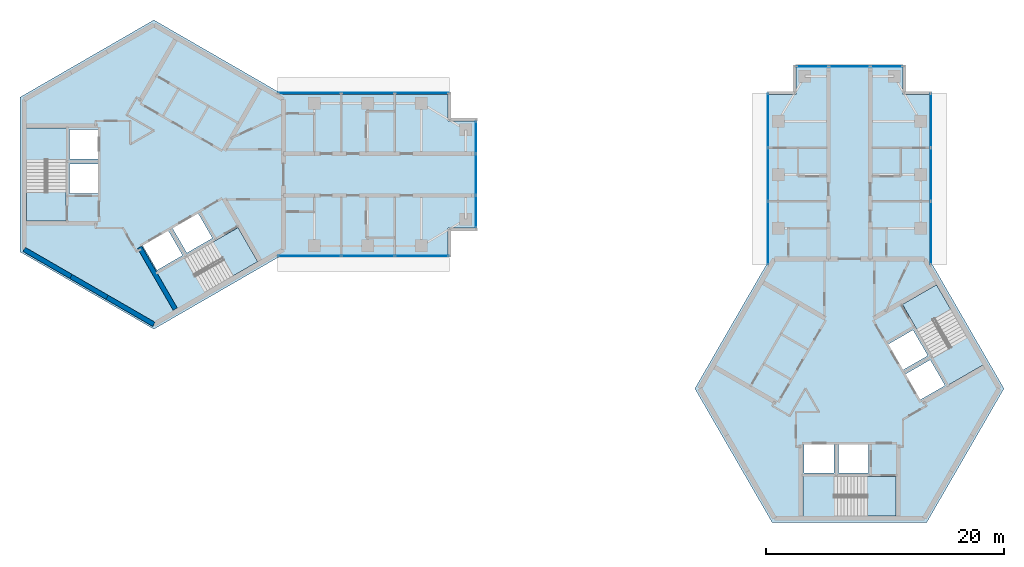
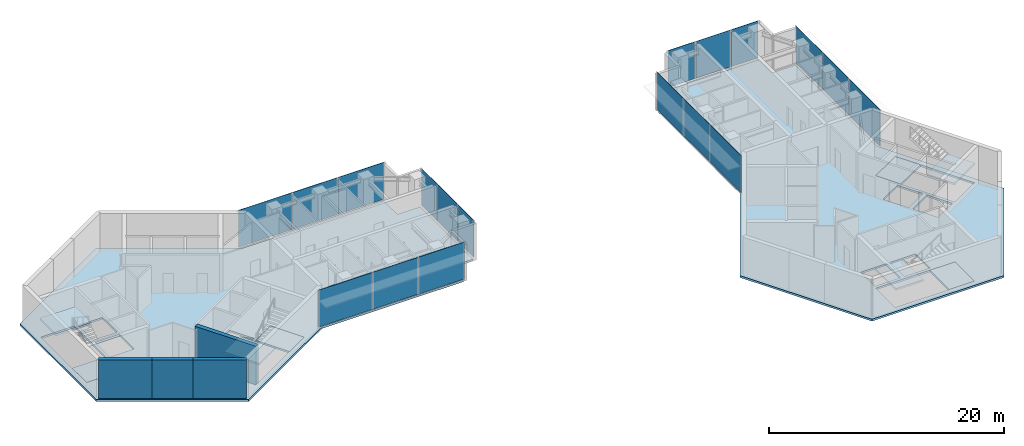
# One storey, part 4 of 11: 18 plates, 10 slabs, 4 walls, 10 elements without a shape of their own.
"""IFC4 building model written with IfcOpenShell, lengths in metres."""

from ifc_helpers import new_model, si_unit, direction, frame, frame_2d, origin, origin_2d, place, context, subcontext, project, spatial, polyline, rectangle, outline, extrude, material, layer, layer_set, type_object, element, aggregate, save


model = new_model("IFC4")

# Units and contexts
model_context = context("Model", 3, precision=1e-05, world=origin(), true_north=direction((0.0, 1.0)))
body_context = subcontext(model_context, "Body", "Model", "MODEL_VIEW")
ifc_project = project(units=[si_unit("LENGTHUNIT", "METRE"), si_unit("AREAUNIT", "SQUARE_METRE"), si_unit("VOLUMEUNIT", "CUBIC_METRE"), si_unit("PLANEANGLEUNIT", "RADIAN"), si_unit("MASSUNIT", "GRAM", prefix="KILO")], contexts=[model_context])

# Site, building, storey
site_placement = place(None, origin())
site = spatial("IfcSite", under=ifc_project, at=site_placement, CompositionType="ELEMENT")
building_placement = place(site_placement, origin())
building = spatial("IfcBuilding", under=site, at=building_placement, Name="Upepo Twin Towers", CompositionType="ELEMENT")
storey_placement = place(building_placement, frame((0.0, 0.0, 263.5)))
storey = spatial("IfcBuildingStorey", under=building, at=storey_placement, Name="L64", CompositionType="ELEMENT", Elevation=263.5)

# Curtain wall, plates
ifc_material_1 = material(Name="Aluminium and fritted glass", Category="aluminium")
curtain_wall_type = type_object("IfcCurtainWallType", Name="Tower curtain wall TW4, fritted glass", PredefinedType="NOTDEFINED", material=ifc_material_1)
curtain_wall_1_placement = place(storey_placement, origin())
curtain_wall_1 = element("IfcCurtainWall", 1, at=curtain_wall_1_placement, inside=storey, type_object=curtain_wall_type, Name="T1 L64 wing A flank L curtain wall", PredefinedType="NOTDEFINED")
ifc_material_2 = material(Name="Ceramic-fritted laminated glass", Category="glass")
ifc_layer_1 = layer(ifc_material_2, 0.031982421875)
ifc_layer_set_1 = layer_set([ifc_layer_1], Name="Fritted glass panel, 65 per cent dot frit, 32 mm double glazed")
plate_type_1 = type_object("IfcPlateType", Name="Fritted glass panel, 65 per cent dot frit, 32 mm double glazed", PredefinedType="CURTAIN_PANEL", material=ifc_layer_set_1)
plate_1_placement = place(storey_placement, frame((13.084716796875, 6.85009765625, 0.14990234375), z_axis=(0.0, 0.0, 1.0), x_axis=(1.0, 0.0, 0.0)))
plate_1 = element("IfcPlate", 2, at=plate_1_placement, type_object=plate_type_1, Name="T1 L64 wing A flank L curtain wall panel 1", PredefinedType="CURTAIN_PANEL", context=body_context, shape_type="SweptSolid", body=[
    extrude(rectangle(XDim=5.265380859375, YDim=0.031982421875, at=origin_2d()), origin(), (0.0, 0.0, 1.0), 3.85009765625),
])
plate_2_placement = place(storey_placement, frame((18.0, 6.85009765625, 0.14990234375), z_axis=(0.0, 0.0, 1.0), x_axis=(1.0, 0.0, 0.0)))
plate_2 = element("IfcPlate", 3, at=plate_2_placement, type_object=plate_type_1, Name="T1 L64 wing A flank L curtain wall panel 2", PredefinedType="CURTAIN_PANEL", context=body_context, shape_type="SweptSolid", body=[
    extrude(rectangle(XDim=4.43505859375, YDim=0.031982421875, at=origin_2d()), origin(), (0.0, 0.0, 1.0), 3.85009765625),
])
plate_3_placement = place(storey_placement, frame((22.53369140625, 6.85009765625, 0.14990234375), z_axis=(0.0, 0.0, 1.0), x_axis=(1.0, 0.0, 0.0)))
plate_3 = element("IfcPlate", 4, at=plate_3_placement, type_object=plate_type_1, Name="T1 L64 wing A flank L curtain wall panel 3", PredefinedType="CURTAIN_PANEL", context=body_context, shape_type="SweptSolid", body=[
    extrude(rectangle(XDim=4.50244140625, YDim=0.031982421875, at=origin_2d()), origin(), (0.0, 0.0, 1.0), 3.85009765625),
])
aggregate(curtain_wall_1, [plate_1, plate_2, plate_3])

curtain_wall_2_placement = place(storey_placement, origin())
curtain_wall_2 = element("IfcCurtainWall", 5, at=curtain_wall_2_placement, inside=storey, type_object=curtain_wall_type, Name="T1 L64 wing A flank R curtain wall", PredefinedType="NOTDEFINED")
plate_4_placement = place(storey_placement, frame((22.53369140625, -6.85009765625, 0.14990234375), z_axis=(0.0, 0.0, 1.0), x_axis=(-1.0, 0.0, 0.0)))
plate_4 = element("IfcPlate", 6, at=plate_4_placement, type_object=plate_type_1, Name="T1 L64 wing A flank R curtain wall panel 1", PredefinedType="CURTAIN_PANEL", context=body_context, shape_type="SweptSolid", body=[
    extrude(rectangle(XDim=4.50244140625, YDim=0.031982421875, at=origin_2d()), origin(), (0.0, 0.0, 1.0), 3.85009765625),
])
plate_5_placement = place(storey_placement, frame((18.0, -6.85009765625, 0.14990234375), z_axis=(0.0, 0.0, 1.0), x_axis=(-1.0, 0.0, 0.0)))
plate_5 = element("IfcPlate", 7, at=plate_5_placement, type_object=plate_type_1, Name="T1 L64 wing A flank R curtain wall panel 2", PredefinedType="CURTAIN_PANEL", context=body_context, shape_type="SweptSolid", body=[
    extrude(rectangle(XDim=4.43505859375, YDim=0.031982421875, at=origin_2d()), origin(), (0.0, 0.0, 1.0), 3.85009765625),
])
plate_6_placement = place(storey_placement, frame((13.084716796875, -6.85009765625, 0.14990234375), z_axis=(0.0, 0.0, 1.0), x_axis=(-1.0, 0.0, 0.0)))
plate_6 = element("IfcPlate", 8, at=plate_6_placement, type_object=plate_type_1, Name="T1 L64 wing A flank R curtain wall panel 3", PredefinedType="CURTAIN_PANEL", context=body_context, shape_type="SweptSolid", body=[
    extrude(rectangle(XDim=5.265380859375, YDim=0.031982421875, at=origin_2d()), origin(), (0.0, 0.0, 1.0), 3.85009765625),
])
aggregate(curtain_wall_2, [plate_4, plate_5, plate_6])

# Curtain wall, plate
curtain_wall_3_placement = place(storey_placement, origin())
curtain_wall_3 = element("IfcCurtainWall", 9, at=curtain_wall_3_placement, inside=storey, type_object=curtain_wall_type, Name="T1 L64 wing A nose curtain wall", PredefinedType="NOTDEFINED")
plate_7_placement = place(storey_placement, frame((27.10009765625, 0.0, 0.14990234375), z_axis=(0.0, 0.0, 1.0), x_axis=(0.0, 1.0, 0.0)))
plate_7 = element("IfcPlate", 10, at=plate_7_placement, type_object=plate_type_1, Name="T1 L64 wing A nose curtain wall panel 2", PredefinedType="CURTAIN_PANEL", context=body_context, shape_type="SweptSolid", body=[
    extrude(rectangle(XDim=3.43505859375, YDim=0.031982421875, at=origin_2d()), origin(), (0.0, 0.0, 1.0), 3.85009765625),
])

# Curtain wall, plates
curtain_wall_4_placement = place(storey_placement, origin())
curtain_wall_4 = element("IfcCurtainWall", 11, at=curtain_wall_4_placement, inside=storey, type_object=curtain_wall_type, Name="T2 L64 wing A flank L curtain wall", PredefinedType="NOTDEFINED")
plate_8_placement = place(storey_placement, frame((51.64990234375, -4.915283203125, 0.14990234375), z_axis=(0.0, 0.0, 1.0), x_axis=(0.0, 1.0, 0.0)))
plate_8 = element("IfcPlate", 12, at=plate_8_placement, type_object=plate_type_1, Name="T2 L64 wing A flank L curtain wall panel 1", PredefinedType="CURTAIN_PANEL", context=body_context, shape_type="SweptSolid", body=[
    extrude(rectangle(XDim=5.265380859375, YDim=0.031982421875, at=origin_2d()), origin(), (0.0, 0.0, 1.0), 3.85009765625),
])
plate_9_placement = place(storey_placement, frame((51.64990234375, 0.0, 0.14990234375), z_axis=(0.0, 0.0, 1.0), x_axis=(0.0, 1.0, 0.0)))
plate_9 = element("IfcPlate", 13, at=plate_9_placement, type_object=plate_type_1, Name="T2 L64 wing A flank L curtain wall panel 2", PredefinedType="CURTAIN_PANEL", context=body_context, shape_type="SweptSolid", body=[
    extrude(rectangle(XDim=4.43505859375, YDim=0.031982421875, at=origin_2d()), origin(), (0.0, 0.0, 1.0), 3.85009765625),
])
plate_10_placement = place(storey_placement, frame((51.64990234375, 4.53369140625, 0.14990234375), z_axis=(0.0, 0.0, 1.0), x_axis=(0.0, 1.0, 0.0)))
plate_10 = element("IfcPlate", 14, at=plate_10_placement, type_object=plate_type_1, Name="T2 L64 wing A flank L curtain wall panel 3", PredefinedType="CURTAIN_PANEL", context=body_context, shape_type="SweptSolid", body=[
    extrude(rectangle(XDim=4.50244140625, YDim=0.031982421875, at=origin_2d()), origin(), (0.0, 0.0, 1.0), 3.85009765625),
])
aggregate(curtain_wall_4, [plate_8, plate_9, plate_10])

curtain_wall_5_placement = place(storey_placement, origin())
curtain_wall_5 = element("IfcCurtainWall", 15, at=curtain_wall_5_placement, inside=storey, type_object=curtain_wall_type, Name="T2 L64 wing A flank R curtain wall", PredefinedType="NOTDEFINED")
plate_11_placement = place(storey_placement, frame((65.35009765625, 4.53369140625, 0.14990234375), z_axis=(0.0, 0.0, 1.0), x_axis=(0.0, -1.0, 0.0)))
plate_11 = element("IfcPlate", 16, at=plate_11_placement, type_object=plate_type_1, Name="T2 L64 wing A flank R curtain wall panel 1", PredefinedType="CURTAIN_PANEL", context=body_context, shape_type="SweptSolid", body=[
    extrude(rectangle(XDim=4.50244140625, YDim=0.031982421875, at=origin_2d()), origin(), (0.0, 0.0, 1.0), 3.85009765625),
])
plate_12_placement = place(storey_placement, frame((65.35009765625, 0.0, 0.14990234375), z_axis=(0.0, 0.0, 1.0), x_axis=(0.0, -1.0, 0.0)))
plate_12 = element("IfcPlate", 17, at=plate_12_placement, type_object=plate_type_1, Name="T2 L64 wing A flank R curtain wall panel 2", PredefinedType="CURTAIN_PANEL", context=body_context, shape_type="SweptSolid", body=[
    extrude(rectangle(XDim=4.43505859375, YDim=0.031982421875, at=origin_2d()), origin(), (0.0, 0.0, 1.0), 3.85009765625),
])
plate_13_placement = place(storey_placement, frame((65.35009765625, -4.915283203125, 0.14990234375), z_axis=(0.0, 0.0, 1.0), x_axis=(0.0, -1.0, 0.0)))
plate_13 = element("IfcPlate", 18, at=plate_13_placement, type_object=plate_type_1, Name="T2 L64 wing A flank R curtain wall panel 3", PredefinedType="CURTAIN_PANEL", context=body_context, shape_type="SweptSolid", body=[
    extrude(rectangle(XDim=5.265380859375, YDim=0.031982421875, at=origin_2d()), origin(), (0.0, 0.0, 1.0), 3.85009765625),
])
aggregate(curtain_wall_5, [plate_11, plate_12, plate_13])

# Curtain wall, plate
curtain_wall_6_placement = place(storey_placement, origin())
curtain_wall_6 = element("IfcCurtainWall", 19, at=curtain_wall_6_placement, inside=storey, type_object=curtain_wall_type, Name="T2 L64 wing A nose curtain wall", PredefinedType="NOTDEFINED")
plate_14_placement = place(storey_placement, frame((58.5, 9.10009765625, 0.14990234375), z_axis=(0.0, 0.0, 1.0), x_axis=(-1.0, 0.0, 0.0)))
plate_14 = element("IfcPlate", 20, at=plate_14_placement, type_object=plate_type_1, Name="T2 L64 wing A nose curtain wall panel 2", PredefinedType="CURTAIN_PANEL", context=body_context, shape_type="SweptSolid", body=[
    extrude(rectangle(XDim=3.43505859375, YDim=0.031982421875, at=origin_2d()), origin(), (0.0, 0.0, 1.0), 3.85009765625),
])

# Plate
ifc_material_3 = material(Name="Clear laminated glass in opening sash", Category="glass")
ifc_layer_2 = layer(ifc_material_3, 0.031982421875)
ifc_layer_set_2 = layer_set([ifc_layer_2], Name="Operable glass panel, 32 mm double glazed")
plate_type_2 = type_object("IfcPlateType", Name="Operable glass panel, 32 mm double glazed", PredefinedType="CURTAIN_PANEL", material=ifc_layer_set_2)
plate_15_placement = place(storey_placement, frame((27.10009765625, -3.108642578125, 0.14990234375), z_axis=(0.0, 0.0, 1.0), x_axis=(0.0, 1.0, 0.0)))
plate_15 = element("IfcPlate", 21, at=plate_15_placement, type_object=plate_type_2, Name="T1 L64 wing A nose curtain wall panel 1", PredefinedType="CURTAIN_PANEL", context=body_context, shape_type="SweptSolid", body=[
    extrude(rectangle(XDim=2.652587890625, YDim=0.031982421875, at=origin_2d()), origin(), (0.0, 0.0, 1.0), 3.85009765625),
])

plate_16_placement = place(storey_placement, frame((27.10009765625, 3.108642578125, 0.14990234375), z_axis=(0.0, 0.0, 1.0), x_axis=(0.0, 1.0, 0.0)))
plate_16 = element("IfcPlate", 22, at=plate_16_placement, type_object=plate_type_2, Name="T1 L64 wing A nose curtain wall panel 3", PredefinedType="CURTAIN_PANEL", context=body_context, shape_type="SweptSolid", body=[
    extrude(rectangle(XDim=2.652587890625, YDim=0.031982421875, at=origin_2d()), origin(), (0.0, 0.0, 1.0), 3.85009765625),
])

aggregate(curtain_wall_3, [plate_15, plate_7, plate_16])

plate_17_placement = place(storey_placement, frame((61.608642578125, 9.10009765625, 0.14990234375), z_axis=(0.0, 0.0, 1.0), x_axis=(-1.0, 0.0, 0.0)))
plate_17 = element("IfcPlate", 23, at=plate_17_placement, type_object=plate_type_2, Name="T2 L64 wing A nose curtain wall panel 1", PredefinedType="CURTAIN_PANEL", context=body_context, shape_type="SweptSolid", body=[
    extrude(rectangle(XDim=2.652587890625, YDim=0.031982421875, at=origin_2d()), origin(), (0.0, 0.0, 1.0), 3.85009765625),
])

plate_18_placement = place(storey_placement, frame((55.391357421875, 9.10009765625, 0.14990234375), z_axis=(0.0, 0.0, 1.0), x_axis=(-1.0, 0.0, 0.0)))
plate_18 = element("IfcPlate", 24, at=plate_18_placement, type_object=plate_type_2, Name="T2 L64 wing A nose curtain wall panel 3", PredefinedType="CURTAIN_PANEL", context=body_context, shape_type="SweptSolid", body=[
    extrude(rectangle(XDim=2.652587890625, YDim=0.031982421875, at=origin_2d()), origin(), (0.0, 0.0, 1.0), 3.85009765625),
])

aggregate(curtain_wall_6, [plate_17, plate_14, plate_18])

# Stair, slabs
ifc_material_4 = material(Name="Concrete C40/50", Category="concrete")
stair_type = type_object("IfcStairType", Name="Core stair, two flights", PredefinedType="HALF_TURN_STAIR", material=ifc_material_4)
stair_1_placement = place(storey_placement, origin())
stair_1 = element("IfcStair", 25, at=stair_1_placement, inside=storey, type_object=stair_type, Name="T1 stair S1 L64", PredefinedType="HALF_TURN_STAIR")
ifc_material_5 = material(Name="Concrete C40/50", Category="concrete")
ifc_layer_3 = layer(ifc_material_5, 0.199951171875)
ifc_layer_set_3 = layer_set([ifc_layer_3], Name="Concrete C40/50")
slab_type_1 = type_object("IfcSlabType", Name="Stair landing 200 RC", PredefinedType="LANDING", material=ifc_layer_set_3)
slab_1_placement = place(storey_placement, frame((0.0, 0.0, -0.199951171875)))
slab_1 = element("IfcSlab", 26, at=slab_1_placement, type_object=slab_type_1, Name="Stair S1 landing 1", PredefinedType="LANDING", context=body_context, shape_type="SweptSolid", body=[
    extrude(outline(polyline([(-7.39990234375, -1.419921875), (-10.708251953125, -1.419921875), (-10.708251953125, -3.89990234375), (-7.39990234375, -3.89990234375), (-7.39990234375, -1.419921875)])), origin(), (0.0, 0.0, 1.0), 0.199951171875),
])
slab_2_placement = place(storey_placement, frame((0.0, 0.0, 1.800048828125)))
slab_2 = element("IfcSlab", 27, at=slab_2_placement, type_object=slab_type_1, Name="Stair S1 landing 2", PredefinedType="LANDING", context=body_context, shape_type="SweptSolid", body=[
    extrude(outline(polyline([(-7.300048828125, 3.89990234375), (-10.808349609375, 3.89990234375), (-10.808349609375, 1.179931640625), (-7.300048828125, 1.179931640625), (-7.300048828125, 3.89990234375)])), origin(), (0.0, 0.0, 1.0), 0.199951171875),
])
aggregate(stair_1, [slab_1, slab_2])

stair_2_placement = place(storey_placement, origin())
stair_2 = element("IfcStair", 28, at=stair_2_placement, inside=storey, type_object=stair_type, Name="T1 stair S2 L64", PredefinedType="HALF_TURN_STAIR")
slab_3_placement = place(storey_placement, frame((0.0, 0.0, -0.199951171875)))
slab_3 = element("IfcSlab", 29, at=slab_3_placement, type_object=slab_type_1, Name="Stair S2 landing 1", PredefinedType="LANDING", context=body_context, shape_type="SweptSolid", body=[
    extrude(outline(polyline([(4.9296875, -5.698486328125), (6.583984375, -8.563720703125), (8.731689453125, -7.32373046875), (7.077392578125, -4.45849609375), (4.9296875, -5.698486328125)])), origin(), (0.0, 0.0, 1.0), 0.199951171875),
])
slab_4_placement = place(storey_placement, frame((0.0, 0.0, 1.800048828125)))
slab_4 = element("IfcSlab", 30, at=slab_4_placement, type_object=slab_type_1, Name="Stair S2 landing 2", PredefinedType="LANDING", context=body_context, shape_type="SweptSolid", body=[
    extrude(outline(polyline([(0.2724609375, -8.27197265625), (2.026611328125, -11.310302734375), (4.38232421875, -9.9501953125), (2.628173828125, -6.911865234375), (0.2724609375, -8.27197265625)])), origin(), (0.0, 0.0, 1.0), 0.199951171875),
])
aggregate(stair_2, [slab_3, slab_4])

stair_3_placement = place(storey_placement, origin())
stair_3 = element("IfcStair", 31, at=stair_3_placement, inside=storey, type_object=stair_type, Name="T2 stair S1 L64", PredefinedType="HALF_TURN_STAIR")
slab_5_placement = place(storey_placement, frame((0.0, 0.0, -0.199951171875)))
slab_5 = element("IfcSlab", 32, at=slab_5_placement, type_object=slab_type_1, Name="Stair S1 landing 1", PredefinedType="LANDING", context=body_context, shape_type="SweptSolid", body=[
    extrude(outline(polyline([(59.919921875, -25.39990234375), (59.919921875, -28.708251953125), (62.39990234375, -28.708251953125), (62.39990234375, -25.39990234375), (59.919921875, -25.39990234375)])), origin(), (0.0, 0.0, 1.0), 0.199951171875),
])
slab_6_placement = place(storey_placement, frame((0.0, 0.0, 1.800048828125)))
slab_6 = element("IfcSlab", 33, at=slab_6_placement, type_object=slab_type_1, Name="Stair S1 landing 2", PredefinedType="LANDING", context=body_context, shape_type="SweptSolid", body=[
    extrude(outline(polyline([(54.60009765625, -25.300048828125), (54.60009765625, -28.808349609375), (57.320068359375, -28.808349609375), (57.320068359375, -25.300048828125), (54.60009765625, -25.300048828125)])), origin(), (0.0, 0.0, 1.0), 0.199951171875),
])
aggregate(stair_3, [slab_5, slab_6])

stair_4_placement = place(storey_placement, origin())
stair_4 = element("IfcStair", 34, at=stair_4_placement, inside=storey, type_object=stair_type, Name="T2 stair S2 L64", PredefinedType="HALF_TURN_STAIR")
slab_7_placement = place(storey_placement, frame((0.0, 0.0, -0.199951171875)))
slab_7 = element("IfcSlab", 35, at=slab_7_placement, type_object=slab_type_1, Name="Stair S2 landing 1", PredefinedType="LANDING", context=body_context, shape_type="SweptSolid", body=[
    extrude(outline(polyline([(64.198486328125, -13.0703125), (67.063720703125, -11.416015625), (65.82373046875, -9.268310546875), (62.95849609375, -10.922607421875), (64.198486328125, -13.0703125)])), origin(), (0.0, 0.0, 1.0), 0.199951171875),
])
slab_8_placement = place(storey_placement, frame((0.0, 0.0, 1.800048828125)))
slab_8 = element("IfcSlab", 36, at=slab_8_placement, type_object=slab_type_1, Name="Stair S2 landing 2", PredefinedType="LANDING", context=body_context, shape_type="SweptSolid", body=[
    extrude(outline(polyline([(66.77197265625, -17.7275390625), (69.810302734375, -15.973388671875), (68.4501953125, -13.61767578125), (65.411865234375, -15.371826171875), (66.77197265625, -17.7275390625)])), origin(), (0.0, 0.0, 1.0), 0.199951171875),
])
aggregate(stair_4, [slab_7, slab_8])

# Slabs
ifc_material_6 = material(Name="Concrete C40/50", Category="concrete")
ifc_layer_4 = layer(ifc_material_6, 0.199951171875)
ifc_layer_set_4 = layer_set([ifc_layer_4], Name="Concrete C40/50")
slab_type_2 = type_object("IfcSlabType", Name="Tower floor slab 200 RC", PredefinedType="FLOOR", material=ifc_layer_set_4)
slab_9_placement = place(storey_placement, frame((0.0, 0.0, -0.199951171875)))
element("IfcSlab", 37, at=slab_9_placement, inside=storey, type_object=slab_type_2, Name="T1 L64 floor slab", PredefinedType="FLOOR", context=body_context, shape_type="SweptSolid", body=[
    extrude(outline(polyline([(0.0, -13.0), (-11.25830078125, -6.5), (-11.25830078125, 6.5), (0.0, 13.0), (10.825439453125, 6.75), (24.75, 6.75), (24.75, 4.5), (27.0, 4.5), (27.0, -4.5), (24.75, -4.5), (24.75, -6.75), (10.825439453125, -6.75), (0.0, -13.0)]), holes=[polyline([(-4.699951171875, 3.800048828125), (-7.10009765625, 3.800048828125), (-7.10009765625, 1.300048828125), (-4.699951171875, 1.300048828125), (-4.699951171875, 3.800048828125)]), polyline([(-4.699951171875, 0.89990234375), (-7.10009765625, 0.89990234375), (-7.10009765625, -1.60009765625), (-4.699951171875, -1.60009765625), (-4.699951171875, 0.89990234375)]), polyline([(-7.39990234375, 3.89990234375), (-10.708251953125, 3.89990234375), (-10.708251953125, -3.89990234375), (-7.39990234375, -3.89990234375), (-7.39990234375, 3.89990234375)]), polyline([(-0.94091796875, -5.97021484375), (0.259033203125, -8.048828125), (2.424072265625, -6.798828125), (1.22412109375, -4.72021484375), (-0.94091796875, -5.97021484375)]), polyline([(1.570556640625, -4.520263671875), (2.7705078125, -6.598876953125), (4.935546875, -5.348876953125), (3.735595703125, -3.270263671875), (1.570556640625, -4.520263671875)]), polyline([(0.322509765625, -8.358642578125), (1.9765625, -11.2236328125), (8.731689453125, -7.32373046875), (7.077392578125, -4.45849609375), (0.322509765625, -8.358642578125)])]), origin(), (0.0, 0.0, 1.0), 0.199951171875),
])
slab_10_placement = place(storey_placement, frame((0.0, 0.0, -0.199951171875)))
element("IfcSlab", 38, at=slab_10_placement, inside=storey, type_object=slab_type_2, Name="T2 L64 floor slab", PredefinedType="FLOOR", context=body_context, shape_type="SweptSolid", body=[
    extrude(outline(polyline([(71.5, -18.0), (65.0, -29.25830078125), (52.0, -29.25830078125), (45.5, -18.0), (51.75, -7.174560546875), (51.75, 6.75), (54.0, 6.75), (54.0, 9.0), (63.0, 9.0), (63.0, 6.75), (65.25, 6.75), (65.25, -7.174560546875), (71.5, -18.0)]), holes=[polyline([(54.699951171875, -22.699951171875), (54.699951171875, -25.10009765625), (57.199951171875, -25.10009765625), (57.199951171875, -22.699951171875), (54.699951171875, -22.699951171875)]), polyline([(57.60009765625, -22.699951171875), (57.60009765625, -25.10009765625), (60.10009765625, -25.10009765625), (60.10009765625, -22.699951171875), (57.60009765625, -22.699951171875)]), polyline([(54.60009765625, -25.39990234375), (54.60009765625, -28.708251953125), (62.39990234375, -28.708251953125), (62.39990234375, -25.39990234375), (54.60009765625, -25.39990234375)]), polyline([(64.47021484375, -18.94091796875), (66.548828125, -17.740966796875), (65.298828125, -15.575927734375), (63.22021484375, -16.77587890625), (64.47021484375, -18.94091796875)]), polyline([(63.020263671875, -16.429443359375), (65.098876953125, -15.2294921875), (63.848876953125, -13.064453125), (61.770263671875, -14.264404296875), (63.020263671875, -16.429443359375)]), polyline([(66.858642578125, -17.677490234375), (69.7236328125, -16.0234375), (65.82373046875, -9.268310546875), (62.95849609375, -10.922607421875), (66.858642578125, -17.677490234375)])]), origin(), (0.0, 0.0, 1.0), 0.199951171875),
])

# Walls
ifc_material_7 = material(Name="Concrete C60/75", Category="concrete")
ifc_layer_5 = layer(ifc_material_7, 0.39990234375)
ifc_layer_set_5 = layer_set([ifc_layer_5], Name="Concrete C60/75")
wall_type_1 = type_object("IfcWallType", Name="Core wall 400 RC", PredefinedType="SHEAR", material=ifc_layer_set_5)
wall_1_placement = place(storey_placement, frame((-10.908447265625, -6.2978515625, 0.0), z_axis=(0.0, 0.0, 1.0), x_axis=(0.866034513004, -0.499984222037, 0.0)))
element("IfcWall", 39, at=wall_1_placement, inside=storey, type_object=wall_type_1, Name="T1 core wall 240 R", PredefinedType="SHEAR", context=body_context, shape_type="SweptSolid", body=[
    extrude(rectangle(XDim=4.548095703125, YDim=0.39990234375, at=frame_2d((2.27392578125, 0.0))), origin(), (0.0, 0.0, 1.0), 4.0),
])
wall_2_placement = place(storey_placement, frame((-6.9697265625, -8.57177734375, 0.0), z_axis=(0.0, 0.0, 1.0), x_axis=(0.866019471182, -0.500010275428, 0.0)))
element("IfcWall", 40, at=wall_2_placement, inside=storey, type_object=wall_type_1, Name="T1 core wall 240", PredefinedType="SHEAR", context=body_context, shape_type="SweptSolid", body=[
    extrude(rectangle(XDim=3.5, YDim=0.39990234375, at=frame_2d((1.75, 0.0))), origin(), (0.0, 0.0, 1.0), 4.0),
])
wall_3_placement = place(storey_placement, frame((-3.938720703125, -10.32177734375, 0.0), z_axis=(0.0, 0.0, 1.0), x_axis=(0.866011268655, -0.500024481964, 0.0)))
element("IfcWall", 41, at=wall_3_placement, inside=storey, type_object=wall_type_1, Name="T1 core wall 240 L", PredefinedType="SHEAR", context=body_context, shape_type="SweptSolid", body=[
    extrude(rectangle(XDim=4.548095703125, YDim=0.39990234375, at=frame_2d((2.27392578125, 0.0))), origin(), (0.0, 0.0, 1.0), 4.0),
])
ifc_material_8 = material(Name="Concrete C40/50", Category="concrete")
ifc_layer_6 = layer(ifc_material_8, 0.39990234375)
ifc_layer_set_6 = layer_set([ifc_layer_6], Name="Concrete C40/50")
wall_type_2 = type_object("IfcWallType", Name="Shaft wall 400 RC", PredefinedType="SHEAR", material=ifc_layer_set_6)
wall_4_placement = place(storey_placement, frame((-1.20068359375, -6.120361328125, 0.0), z_axis=(0.0, 0.0, 1.0), x_axis=(0.499997979876, -0.866026570101, 0.0)))
element("IfcWall", 42, at=wall_4_placement, inside=storey, type_object=wall_type_2, Name="T1 core W300 side wall S", PredefinedType="SHEAR", context=body_context, shape_type="SweptSolid", body=[
    extrude(rectangle(XDim=6.00830078125, YDim=0.39990234375, at=frame_2d((3.004150390625, 0.0))), origin(), (0.0, 0.0, 1.0), 4.0),
])

save(model, "model.ifc")
